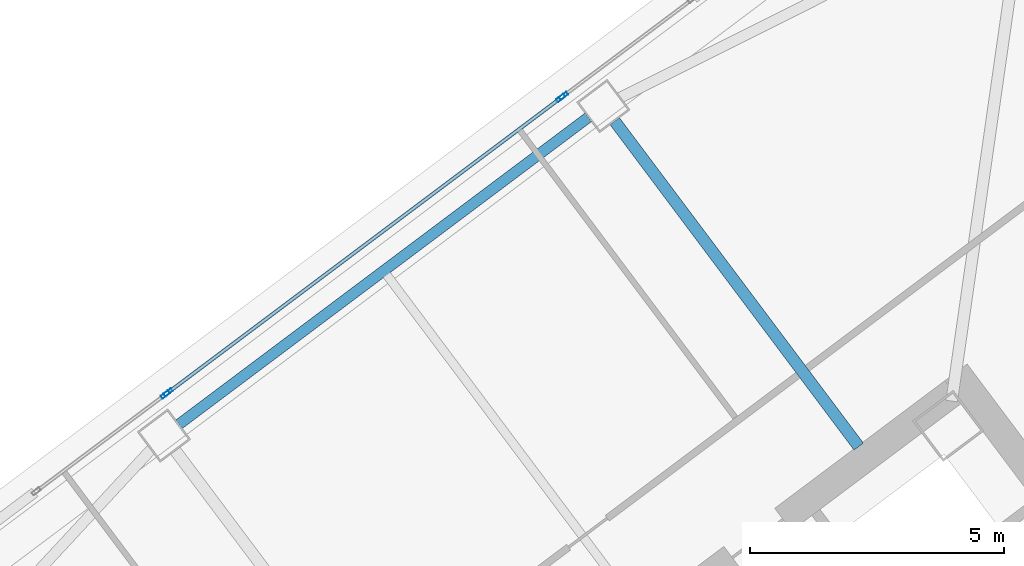
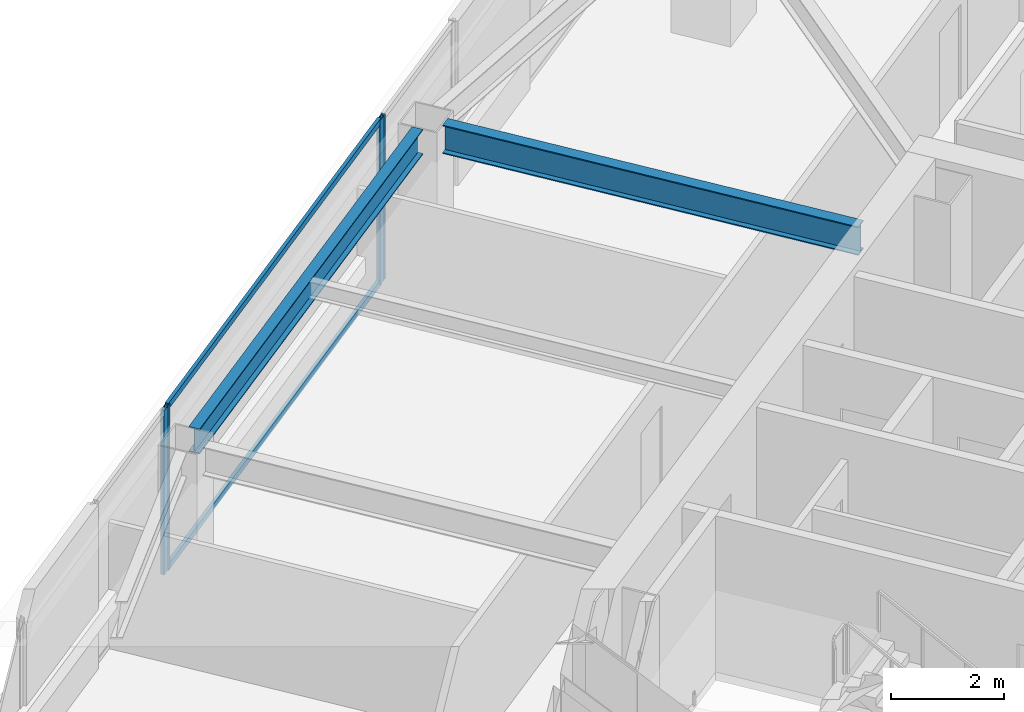
# One storey, part 30 of 46: 6 members, 2 beams, 3 elements without a shape of their own.
"""IFC4 building model written with IfcOpenShell, lengths in metres."""

from ifc_helpers import new_model, si_unit, direction, frame, origin, origin_2d, place, context, subcontext, project, spatial, hollow_rectangle, i_section, extrude, material, material_profile, profile_set, type_object, element, aggregate, save


model = new_model("IFC4")

# Units and contexts
model_context = context("Model", 3, precision=1e-05, world=origin(), true_north=direction((0.0, 1.0)))
body_context = subcontext(model_context, "Body", "Model", "MODEL_VIEW")
ifc_project = project(units=[si_unit("LENGTHUNIT", "METRE"), si_unit("AREAUNIT", "SQUARE_METRE"), si_unit("VOLUMEUNIT", "CUBIC_METRE"), si_unit("PLANEANGLEUNIT", "RADIAN"), si_unit("MASSUNIT", "GRAM", prefix="KILO")], contexts=[model_context])

# Site, building, storey
site_placement = place(None, origin())
site = spatial("IfcSite", under=ifc_project, at=site_placement, CompositionType="ELEMENT")
building_placement = place(site_placement, origin())
building = spatial("IfcBuilding", under=site, at=building_placement, Name="Tashvorn Skyway Center", CompositionType="ELEMENT")
storey_placement = place(building_placement, frame((0.0, 0.0, 167.64990234375)))
storey = spatial("IfcBuildingStorey", under=building, at=storey_placement, Name="L45", CompositionType="ELEMENT", Elevation=167.64990234375)

# Beams
ifc_material_1 = material(Name="Steel ASTM A992 Grade 50", Category="steel")
ifc_material_profile_1 = material_profile(ifc_material_1, i_section(OverallWidth=0.22998046875, OverallDepth=0.616943359375, WebThickness=0.01318359375, FlangeThickness=0.022216796875, at=origin_2d()), Name="W24X94")
ifc_profile_set_1 = profile_set([ifc_material_profile_1], Name="Steel ASTM A992 Grade 50")
beam_type_1 = type_object("IfcBeamType", Name="BM-BEAM-W24X94", PredefinedType="BEAM", material=ifc_profile_set_1)
beam_1_placement = place(storey_placement, frame((108.85205078125, 47.864013671875, 3.0615234375), z_axis=(0.60000976564, -0.799992675677, 0.0), x_axis=(0.799992675677, 0.60000976564, 0.0)))
element("IfcBeam", 1, at=beam_1_placement, inside=storey, type_object=beam_type_1, Name="Tower 2 L45 Primary Floor Girder FC-N1", PredefinedType="BEAM", context=body_context, shape_type="SweptSolid", body=[
    extrude(i_section(OverallWidth=0.22998046875, OverallDepth=0.616943359375, WebThickness=0.01318359375, FlangeThickness=0.022216796875, at=origin_2d()), origin(), (0.0, 0.0, 1.0), 8.0),
])
ifc_material_profile_2 = material_profile(ifc_material_1, i_section(OverallWidth=0.2109375, OverallDepth=0.5390625, WebThickness=0.01171875, FlangeThickness=0.018798828125, at=origin_2d()), Name="W21X73")
ifc_profile_set_2 = profile_set([ifc_material_profile_2], Name="Steel ASTM A992 Grade 50")
beam_type_2 = type_object("IfcBeamType", Name="BM-SPANDREL-W21X73", PredefinedType="SPANDREL", material=ifc_profile_set_2)
beam_2_placement = place(storey_placement, frame((108.333984375, 47.93798828125, 3.1005859375), z_axis=(-0.800008736549, -0.599988351091, 0.0), x_axis=(0.599988351091, -0.800008736549, 0.0)))
element("IfcBeam", 2, at=beam_2_placement, inside=storey, type_object=beam_type_2, Name="Tower 2 L45 Spandrel Beam 08", PredefinedType="SPANDREL", context=body_context, shape_type="SweptSolid", body=[
    extrude(i_section(OverallWidth=0.2109375, OverallDepth=0.5390625, WebThickness=0.01171875, FlangeThickness=0.018798828125, at=origin_2d()), origin(), (0.0, 0.0, 1.0), 10.06005859375),
])

# Curtain wall, member
ifc_material_2 = material(Name="Thermally broken bronze-anodized aluminium 6063-T6", Category="aluminium")
curtain_wall_type = type_object("IfcCurtainWallType", Name="CW-CW-Z4", PredefinedType="NOTDEFINED", material=ifc_material_2)
curtain_wall_1_placement = place(storey_placement, origin())
curtain_wall_1 = element("IfcCurtainWall", 3, at=curtain_wall_1_placement, inside=storey, type_object=curtain_wall_type, Name="Tower 2 L45 North Unitised Curtain Wall Glazing Group 2", PredefinedType="NOTDEFINED")
ifc_material_profile_3 = material_profile(ifc_material_2, hollow_rectangle(XDim=0.070068359375, YDim=0.179931640625, WallThickness=0.00390625, at=origin_2d()), Name="ALU-MULL-70x180")
ifc_profile_set_3 = profile_set([ifc_material_profile_3], Name="Thermally broken bronze-anodized aluminium 6063-T6")
member_type_1 = type_object("IfcMemberType", Name="CWM-CW-Z4", PredefinedType="MULLION", material=ifc_profile_set_3)
member_1_placement = place(storey_placement, frame((100.01611328125, 42.487060546875, 0.0), z_axis=(0.0, 0.0, 1.0), x_axis=(-0.600000000002, 0.799999999998, 0.0)))
member_1 = element("IfcMember", 4, at=member_1_placement, type_object=member_type_1, Name="CW-Z4 mullion 2", PredefinedType="MULLION", context=body_context, shape_type="SweptSolid", body=[
    extrude(hollow_rectangle(XDim=0.070068359375, YDim=0.179931640625, WallThickness=0.00390625, at=origin_2d()), origin(), (0.0, 0.0, 1.0), 3.550048828125),
])
aggregate(curtain_wall_1, [member_1])

# Curtain wall, members
curtain_wall_2_placement = place(storey_placement, origin())
curtain_wall_2 = element("IfcCurtainWall", 5, at=curtain_wall_2_placement, inside=storey, type_object=curtain_wall_type, Name="Tower 2 L45 North Unitised Curtain Wall Glazing Group 3", PredefinedType="NOTDEFINED")
member_2_placement = place(storey_placement, frame((100.072021484375, 42.529052734375, 0.0), z_axis=(0.0, 0.0, 1.0), x_axis=(-0.600000000002, 0.799999999998, 0.0)))
member_2 = element("IfcMember", 6, at=member_2_placement, type_object=member_type_1, Name="CW-Z4 mullion 1", PredefinedType="MULLION", context=body_context, shape_type="SweptSolid", body=[
    extrude(hollow_rectangle(XDim=0.070068359375, YDim=0.179931640625, WallThickness=0.00390625, at=origin_2d()), origin(), (0.0, 0.0, 1.0), 3.550048828125),
])
member_3_placement = place(storey_placement, frame((107.7919921875, 48.319091796875, 0.0), z_axis=(0.0, 0.0, 1.0), x_axis=(-0.600000000002, 0.799999999998, 0.0)))
member_3 = element("IfcMember", 7, at=member_3_placement, type_object=member_type_1, Name="CW-Z4 mullion 2", PredefinedType="MULLION", context=body_context, shape_type="SweptSolid", body=[
    extrude(hollow_rectangle(XDim=0.070068359375, YDim=0.179931640625, WallThickness=0.00390625, at=origin_2d()), origin(), (0.0, 0.0, 1.0), 3.550048828125),
])

# Curtain wall, member
curtain_wall_3_placement = place(storey_placement, origin())
curtain_wall_3 = element("IfcCurtainWall", 8, at=curtain_wall_3_placement, inside=storey, type_object=curtain_wall_type, Name="Tower 2 L45 North Unitised Curtain Wall Glazing Group 4", PredefinedType="NOTDEFINED")
member_4_placement = place(storey_placement, frame((107.847900390625, 48.361083984375, 0.0), z_axis=(0.0, 0.0, 1.0), x_axis=(-0.600000000002, 0.799999999998, 0.0)))
member_4 = element("IfcMember", 9, at=member_4_placement, type_object=member_type_1, Name="CW-Z4 mullion 1", PredefinedType="MULLION", context=body_context, shape_type="SweptSolid", body=[
    extrude(hollow_rectangle(XDim=0.070068359375, YDim=0.179931640625, WallThickness=0.00390625, at=origin_2d()), origin(), (0.0, 0.0, 1.0), 3.550048828125),
])
aggregate(curtain_wall_3, [member_4])

# Member
ifc_material_profile_4 = material_profile(ifc_material_2, hollow_rectangle(XDim=0.070068359375, YDim=0.1298828125, WallThickness=0.00390625, at=origin_2d()), Name="ALU-TRAN-70x130")
ifc_profile_set_4 = profile_set([ifc_material_profile_4], Name="Thermally broken bronze-anodized aluminium 6063-T6")
member_type_2 = type_object("IfcMemberType", Name="CWT-CW-Z4", PredefinedType="USERDEFINED", material=ifc_profile_set_4)
member_5_placement = place(storey_placement, frame((100.10009765625, 42.550048828125, 0.03515625), z_axis=(0.799990825408, 0.600012232595, 0.0), x_axis=(-0.600012232595, 0.799990825408, 0.0)))
member_5 = element("IfcMember", 10, at=member_5_placement, type_object=member_type_2, Name="CW-Z4 transom 1.1", ObjectType="TRANSOM", PredefinedType="USERDEFINED", context=body_context, shape_type="SweptSolid", body=[
    extrude(hollow_rectangle(XDim=0.070068359375, YDim=0.1298828125, WallThickness=0.00390625, at=origin_2d()), origin(), (0.0, 0.0, 1.0), 9.579833984375),
])

member_6_placement = place(storey_placement, frame((100.10009765625, 42.550048828125, 3.51513671875), z_axis=(0.799990825408, 0.600012232595, 0.0), x_axis=(-0.600012232595, 0.799990825408, 0.0)))
member_6 = element("IfcMember", 11, at=member_6_placement, type_object=member_type_2, Name="CW-Z4 transom 1.2", ObjectType="TRANSOM", PredefinedType="USERDEFINED", context=body_context, shape_type="SweptSolid", body=[
    extrude(hollow_rectangle(XDim=0.070068359375, YDim=0.1298828125, WallThickness=0.00390625, at=origin_2d()), origin(), (0.0, 0.0, 1.0), 9.579833984375),
])

aggregate(curtain_wall_2, [member_2, member_3, member_5, member_6])

save(model, "model.ifc")
